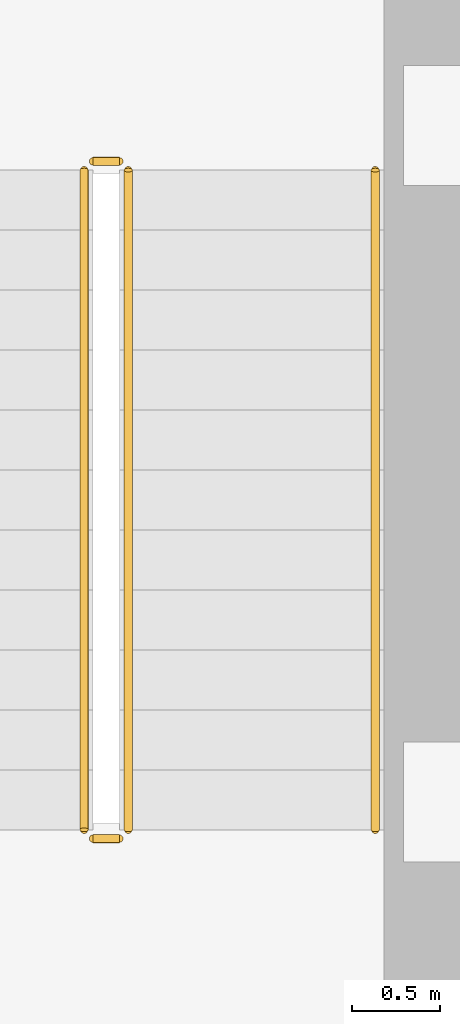
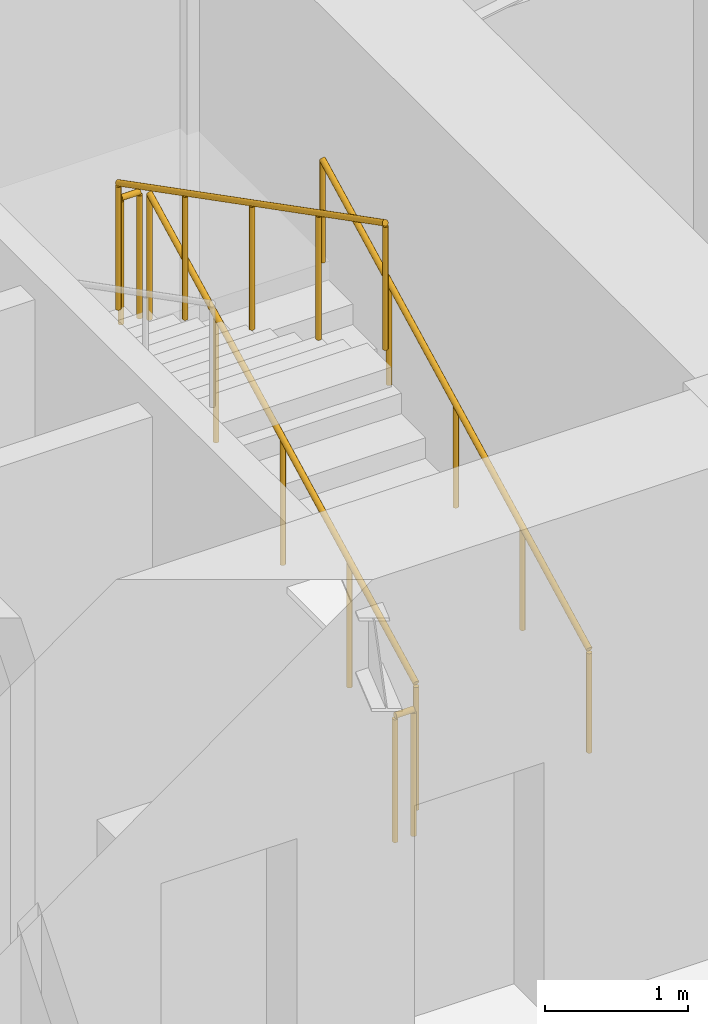
# One storey, part 16 of 18: 5 railings.
"""IFC4 building model written with IfcOpenShell, lengths in metres."""

from ifc_helpers import new_model, si_unit, direction, frame, origin, origin_2d, place, context, subcontext, project, spatial, circle, extrude, material, type_object, element, save


model = new_model("IFC4")

# Units and contexts
model_context = context("Model", 3, precision=1e-05, world=origin(), true_north=direction((0.0, 1.0)))
body_context = subcontext(model_context, "Body", "Model", "MODEL_VIEW")
ifc_project = project(units=[si_unit("LENGTHUNIT", "METRE"), si_unit("AREAUNIT", "SQUARE_METRE"), si_unit("VOLUMEUNIT", "CUBIC_METRE"), si_unit("PLANEANGLEUNIT", "RADIAN"), si_unit("MASSUNIT", "GRAM", prefix="KILO")], contexts=[model_context])

# Site, building, storey
site_placement = place(None, origin())
site = spatial("IfcSite", under=ifc_project, at=site_placement, CompositionType="ELEMENT")
building_placement = place(site_placement, origin())
building = spatial("IfcBuilding", under=site, at=building_placement, Name="Keldmark Tower", CompositionType="ELEMENT")
storey_placement = place(building_placement, frame((0.0, 0.0, 6.0)))
storey = spatial("IfcBuildingStorey", under=building, at=storey_placement, Name="L01", CompositionType="ELEMENT", Elevation=6.0)

# Railings
ifc_material_1 = material(Name="Painted Steel ASTM A500 Grade B", Category="steel")
railing_type_1 = type_object("IfcRailingType", Name="Painted Steel Stair Well Guard 1100 mm", PredefinedType="GUARDRAIL", material=ifc_material_1)
railing_1_placement = place(storey_placement, frame((11.699951171875, 3.35009765625, 0.175048828125)))
element("IfcRailing", 1, at=railing_1_placement, inside=storey, type_object=railing_type_1, Name="L01 ST2 stair guard 1", PredefinedType="GUARDRAIL", context=body_context, shape_type="SweptSolid", body=[
    extrude(circle(Radius=0.02392578125, at=origin_2d()), frame((0.0, 0.0, 1.076171875), z_axis=(0.0, 0.889130600629, 0.457653553493), x_axis=(-1.0, 0.0, 0.0)), (0.0, 0.0, 1.0), 4.206298828125),
    extrude(circle(Radius=0.02099609375, at=origin_2d()), origin(), (0.0, 0.0, 1.0), 1.052001953125),
    extrude(circle(Radius=0.02099609375, at=origin_2d()), frame((0.0, 0.93505859375, 0.481201171875)), (0.0, 0.0, 1.0), 1.052001953125),
    extrude(circle(Radius=0.02099609375, at=origin_2d()), frame((0.0, 1.8701171875, 0.96240234375)), (0.0, 0.0, 1.0), 1.052001953125),
    extrude(circle(Radius=0.02099609375, at=origin_2d()), frame((0.0, 2.804931640625, 1.44384765625)), (0.0, 0.0, 1.0), 1.052001953125),
    extrude(circle(Radius=0.02099609375, at=origin_2d()), frame((0.0, 3.739990234375, 1.925048828125)), (0.0, 0.0, 1.0), 1.052001953125),
])
railing_2_placement = place(storey_placement, frame((11.64990234375, 7.139892578125, 2.10009765625)))
element("IfcRailing", 2, at=railing_2_placement, inside=storey, type_object=railing_type_1, Name="L01 ST2 stair guard 2", PredefinedType="GUARDRAIL", context=body_context, shape_type="SweptSolid", body=[
    extrude(circle(Radius=0.02392578125, at=origin_2d()), frame((0.0, 0.0, 1.076171875), z_axis=(-1.0, 0.0, 0.0), x_axis=(0.0, -1.0, 0.0)), (0.0, 0.0, 1.0), 0.14990234375),
    extrude(circle(Radius=0.02099609375, at=origin_2d()), origin(), (0.0, 0.0, 1.0), 1.052001953125),
    extrude(circle(Radius=0.02099609375, at=origin_2d()), frame((-0.14990234375, 0.0, 0.0)), (0.0, 0.0, 1.0), 1.052001953125),
])
railing_3_placement = place(storey_placement, frame((11.449951171875, 7.090087890625, 2.27490234375)))
element("IfcRailing", 3, at=railing_3_placement, inside=storey, type_object=railing_type_1, Name="L01 ST2 stair guard 3", PredefinedType="GUARDRAIL", context=body_context, shape_type="SweptSolid", body=[
    extrude(circle(Radius=0.02392578125, at=origin_2d()), frame((0.0, 0.0, 1.076171875), z_axis=(0.0, -0.889130600629, 0.457653553493), x_axis=(1.0, 0.0, 0.0)), (0.0, 0.0, 1.0), 4.206298828125),
    extrude(circle(Radius=0.02099609375, at=origin_2d()), origin(), (0.0, 0.0, 1.0), 1.052001953125),
    extrude(circle(Radius=0.02099609375, at=origin_2d()), frame((0.0, -0.93505859375, 0.481201171875)), (0.0, 0.0, 1.0), 1.052001953125),
    extrude(circle(Radius=0.02099609375, at=origin_2d()), frame((0.0, -1.8701171875, 0.96240234375)), (0.0, 0.0, 1.0), 1.052001953125),
    extrude(circle(Radius=0.02099609375, at=origin_2d()), frame((0.0, -2.804931640625, 1.44384765625)), (0.0, 0.0, 1.0), 1.052001953125),
    extrude(circle(Radius=0.02099609375, at=origin_2d()), frame((0.0, -3.739990234375, 1.925048828125)), (0.0, 0.0, 1.0), 1.052001953125),
])
railing_4_placement = place(storey_placement, frame((11.64990234375, 3.300048828125, 0.0)))
element("IfcRailing", 4, at=railing_4_placement, inside=storey, type_object=railing_type_1, Name="L01 ST2 stair guard 4", PredefinedType="GUARDRAIL", context=body_context, shape_type="SweptSolid", body=[
    extrude(circle(Radius=0.02392578125, at=origin_2d()), frame((0.0, 0.0, 1.076171875), z_axis=(-1.0, 0.0, 0.0), x_axis=(0.0, -1.0, 0.0)), (0.0, 0.0, 1.0), 0.14990234375),
    extrude(circle(Radius=0.02099609375, at=origin_2d()), origin(), (0.0, 0.0, 1.0), 1.052001953125),
    extrude(circle(Radius=0.02099609375, at=origin_2d()), frame((-0.14990234375, 0.0, 0.0)), (0.0, 0.0, 1.0), 1.052001953125),
])
ifc_material_2 = material(Name="Stainless Steel AISI 316L", Category="steel")
railing_type_2 = type_object("IfcRailingType", Name="Stainless Steel Stair Handrail 900 mm", PredefinedType="HANDRAIL", material=ifc_material_2)
railing_5_placement = place(storey_placement, frame((13.10009765625, 3.35009765625, 0.175048828125)))
element("IfcRailing", 5, at=railing_5_placement, inside=storey, type_object=railing_type_2, Name="L01 ST2 stair handrail 1", PredefinedType="HANDRAIL", context=body_context, shape_type="SweptSolid", body=[
    extrude(circle(Radius=0.02392578125, at=origin_2d()), frame((0.0, 0.0, 0.8759765625), z_axis=(0.0, 0.889130600629, 0.457653553493), x_axis=(-1.0, 0.0, 0.0)), (0.0, 0.0, 1.0), 4.206298828125),
    extrude(circle(Radius=0.02099609375, at=origin_2d()), origin(), (0.0, 0.0, 1.0), 0.851806640625),
    extrude(circle(Radius=0.02099609375, at=origin_2d()), frame((0.0, 0.93505859375, 0.481201171875)), (0.0, 0.0, 1.0), 0.851806640625),
    extrude(circle(Radius=0.02099609375, at=origin_2d()), frame((0.0, 1.8701171875, 0.96240234375)), (0.0, 0.0, 1.0), 0.851806640625),
    extrude(circle(Radius=0.02099609375, at=origin_2d()), frame((0.0, 2.804931640625, 1.44384765625)), (0.0, 0.0, 1.0), 0.851806640625),
    extrude(circle(Radius=0.02099609375, at=origin_2d()), frame((0.0, 3.739990234375, 1.925048828125)), (0.0, 0.0, 1.0), 0.851806640625),
])

save(model, "model.ifc")
